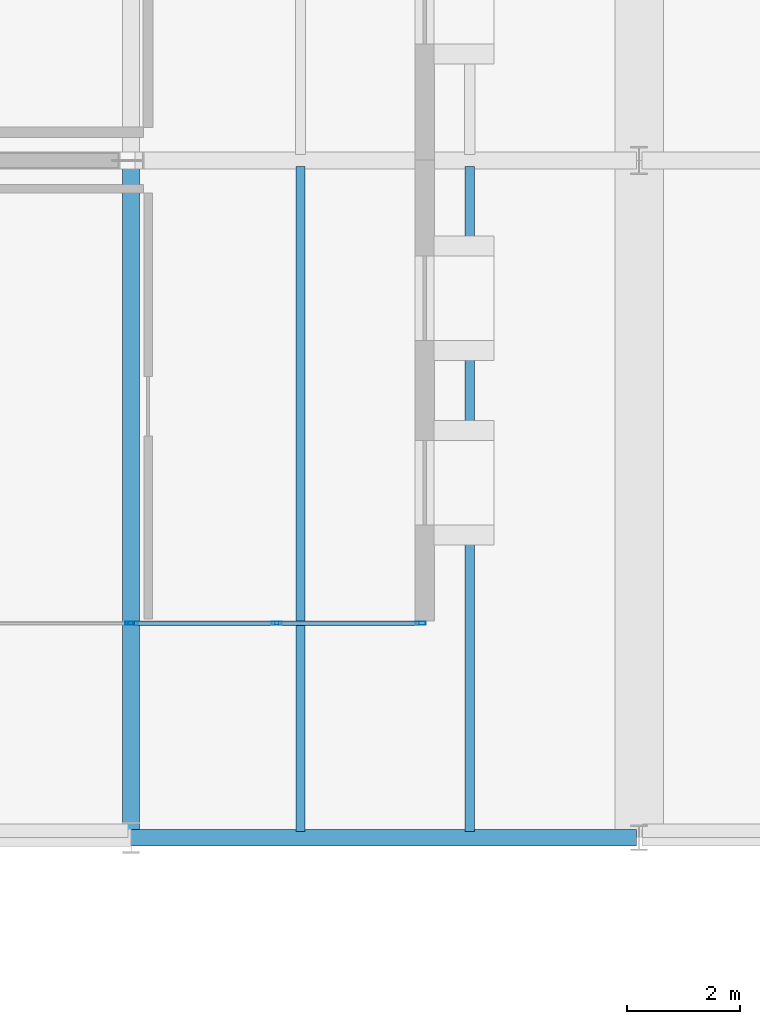
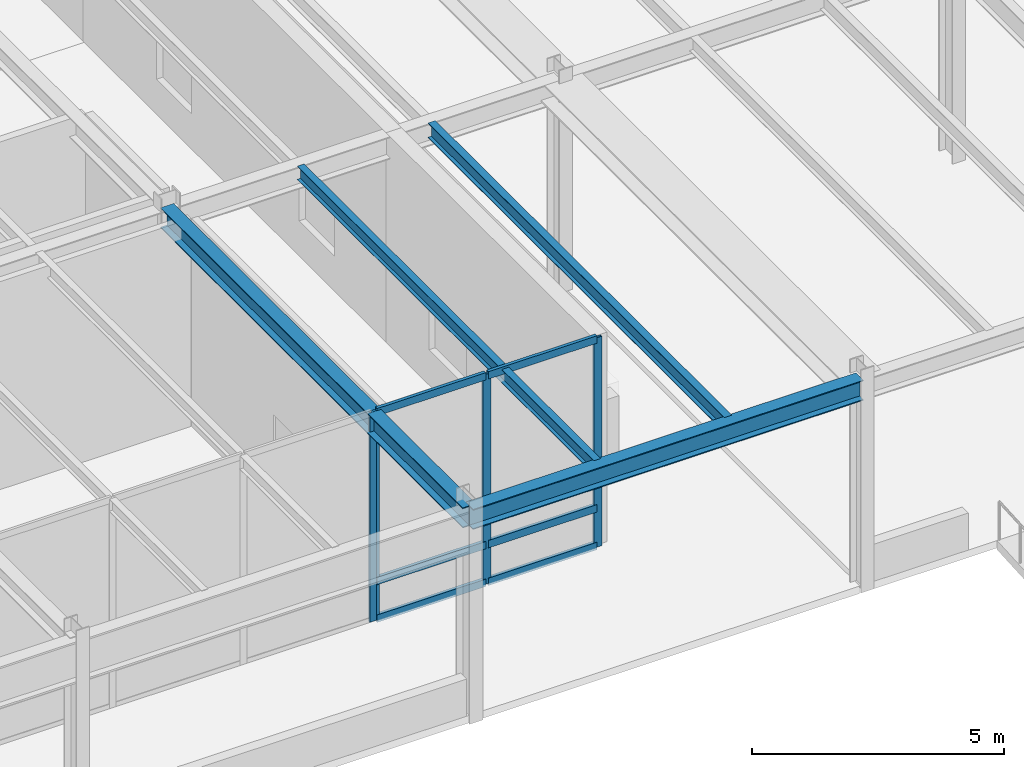
# One storey, part 32 of 143: 10 members, 4 beams, 2 elements without a shape of their own.
"""IFC4 building model written with IfcOpenShell, lengths in metres."""

from ifc_helpers import new_model, si_unit, direction, frame, origin, origin_2d, place, context, subcontext, project, spatial, hollow_rectangle, i_section, extrude, material, layer, layer_set, material_profile, profile_set, type_object, element, aggregate, save


model = new_model("IFC4")

# Units and contexts
model_context = context("Model", 3, precision=1e-05, world=origin(), true_north=direction((0.0, 1.0)))
body_context = subcontext(model_context, "Body", "Model", "MODEL_VIEW")
ifc_project = project(units=[si_unit("LENGTHUNIT", "METRE"), si_unit("AREAUNIT", "SQUARE_METRE"), si_unit("VOLUMEUNIT", "CUBIC_METRE"), si_unit("PLANEANGLEUNIT", "RADIAN"), si_unit("MASSUNIT", "GRAM", prefix="KILO")], contexts=[model_context])

# Site, building, storey
site_placement = place(None, origin())
site = spatial("IfcSite", under=ifc_project, at=site_placement, CompositionType="ELEMENT")
building_placement = place(site_placement, origin())
building = spatial("IfcBuilding", under=site, at=building_placement, Name="Montelvaro Courts of Justice", CompositionType="ELEMENT")
storey_placement = place(building_placement, origin())
storey = spatial("IfcBuildingStorey", under=building, at=storey_placement, Name="L00", CompositionType="ELEMENT", Elevation=0.0)

# Beams
ifc_material_1 = material(Name="Steel S355", Category="steel")
ifc_material_profile_1 = material_profile(ifc_material_1, i_section(OverallWidth=0.300048828125, OverallDepth=0.489990234375, WebThickness=0.011962890625, FlangeThickness=0.02294921875, at=origin_2d()), Name="HEA 500")
ifc_profile_set_1 = profile_set([ifc_material_profile_1], Name="Steel S355")
beam_type_1 = type_object("IfcBeamType", Name="Beam_HEA500", PredefinedType="USERDEFINED", material=ifc_profile_set_1)
beam_1_placement = place(storey_placement, frame((72.0, 0.0, 4.8349609375), z_axis=(1.0, 0.0, 0.0), x_axis=(0.0, 1.0, 0.0)))
element("IfcBeam", 1, at=beam_1_placement, inside=storey, type_object=beam_type_1, Name="Beam B-19 L00", ObjectType="GIRDER", PredefinedType="USERDEFINED", context=body_context, shape_type="SweptSolid", body=[
    extrude(i_section(OverallWidth=0.300048828125, OverallDepth=0.489990234375, WebThickness=0.011962890625, FlangeThickness=0.02294921875, at=origin_2d()), origin(), (0.0, 0.0, 1.0), 8.949951171875),
])
beam_2_placement = place(storey_placement, frame((72.0, 0.0, 4.8349609375), z_axis=(0.0, 1.0, 0.0), x_axis=(-1.0, 0.0, 0.0)))
element("IfcBeam", 2, at=beam_2_placement, inside=storey, type_object=beam_type_1, Name="Beam B-19 L00", ObjectType="GIRDER", PredefinedType="USERDEFINED", context=body_context, shape_type="SweptSolid", body=[
    extrude(i_section(OverallWidth=0.300048828125, OverallDepth=0.489990234375, WebThickness=0.011962890625, FlangeThickness=0.02294921875, at=origin_2d()), origin(), (0.0, 0.0, 1.0), 12.0),
])
ifc_material_profile_2 = material_profile(ifc_material_1, i_section(OverallWidth=0.159912109375, OverallDepth=0.330078125, WebThickness=0.007568359375, FlangeThickness=0.011474609375, at=origin_2d()), Name="IPE 330")
ifc_profile_set_2 = profile_set([ifc_material_profile_2], Name="Steel S355")
beam_type_2 = type_object("IfcBeamType", Name="Beam_IPE330", PredefinedType="BEAM", material=ifc_profile_set_2)
beam_3_placement = place(storey_placement, frame((75.0, 0.110107421875, 4.9150390625), z_axis=(0.0, 1.0, 0.0), x_axis=(-1.0, 0.0, 0.0)))
element("IfcBeam", 3, at=beam_3_placement, inside=storey, type_object=beam_type_2, Name="Beam B-06 L00", PredefinedType="BEAM", context=body_context, shape_type="SweptSolid", body=[
    extrude(i_section(OverallWidth=0.159912109375, OverallDepth=0.330078125, WebThickness=0.007568359375, FlangeThickness=0.011474609375, at=origin_2d()), origin(), (0.0, 0.0, 1.0), 11.77978515625),
])
ifc_material_profile_3 = material_profile(ifc_material_1, i_section(OverallWidth=0.169921875, OverallDepth=0.360107421875, WebThickness=0.008056640625, FlangeThickness=0.0126953125, at=origin_2d()), Name="IPE 360")
ifc_profile_set_3 = profile_set([ifc_material_profile_3], Name="Steel S355")
beam_type_3 = type_object("IfcBeamType", Name="Beam_IPE360", PredefinedType="BEAM", material=ifc_profile_set_3)
beam_4_placement = place(storey_placement, frame((78.0, 0.110107421875, 4.89990234375), z_axis=(0.0, 1.0, 0.0), x_axis=(-1.0, 0.0, 0.0)))
element("IfcBeam", 4, at=beam_4_placement, inside=storey, type_object=beam_type_3, Name="Beam B-07 L00", PredefinedType="BEAM", context=body_context, shape_type="SweptSolid", body=[
    extrude(i_section(OverallWidth=0.169921875, OverallDepth=0.360107421875, WebThickness=0.008056640625, FlangeThickness=0.0126953125, at=origin_2d()), origin(), (0.0, 0.0, 1.0), 11.77978515625),
])

# Curtain wall, member
ifc_material_2 = material(Name="Anodised aluminium EN AW-6063", Category="aluminium")
ifc_layer_1 = layer(ifc_material_2, 0.159912109375)
ifc_layer_set_1 = layer_set([ifc_layer_1], Name="Anodised aluminium EN AW-6063")
curtain_wall_type_1 = type_object("IfcCurtainWallType", Name="CurtainWall_11_900x508", PredefinedType="USERDEFINED", material=ifc_layer_set_1)
curtain_wall_1_placement = place(storey_placement, origin())
curtain_wall_1 = element("IfcCurtainWall", 5, at=curtain_wall_1_placement, inside=storey, type_object=curtain_wall_type_1, Name="Curtain Wall CW-11 (L00)", ObjectType="CURTAIN WALL", PredefinedType="USERDEFINED")
ifc_material_profile_4 = material_profile(ifc_material_2, hollow_rectangle(XDim=0.06005859375, YDim=0.14990234375, WallThickness=0.00390625, at=origin_2d()), Name="ALU-M 60x150")
ifc_profile_set_4 = profile_set([ifc_material_profile_4], Name="Anodised aluminium EN AW-6063")
member_type_1 = type_object("IfcMemberType", Name="CurtainWall_Mullion_60x150", PredefinedType="MULLION", material=ifc_profile_set_4)
member_1_placement = place(storey_placement, frame((71.969970703125, 3.800048828125, 0.0), z_axis=(0.0, 0.0, 1.0), x_axis=(0.0, 1.0, 0.0)))
member_1 = element("IfcMember", 6, at=member_1_placement, type_object=member_type_1, Name="CW-11 mullion 4", PredefinedType="MULLION", context=body_context, shape_type="SweptSolid", body=[
    extrude(hollow_rectangle(XDim=0.06005859375, YDim=0.14990234375, WallThickness=0.00390625, at=origin_2d()), origin(), (0.0, 0.0, 1.0), 5.080078125),
])
aggregate(curtain_wall_1, [member_1])

# Curtain wall, members
ifc_layer_2 = layer(ifc_material_2, 0.159912109375)
ifc_layer_set_2 = layer_set([ifc_layer_2], Name="Anodised aluminium EN AW-6063")
curtain_wall_type_2 = type_object("IfcCurtainWallType", Name="CurtainWall_12_516x508", PredefinedType="USERDEFINED", material=ifc_layer_set_2)
curtain_wall_2_placement = place(storey_placement, origin())
curtain_wall_2 = element("IfcCurtainWall", 7, at=curtain_wall_2_placement, inside=storey, type_object=curtain_wall_type_2, Name="Curtain Wall CW-12 (L00)", ObjectType="CURTAIN WALL", PredefinedType="USERDEFINED")
ifc_material_profile_5 = material_profile(ifc_material_2, hollow_rectangle(XDim=0.06005859375, YDim=0.179931640625, WallThickness=0.00439453125, at=origin_2d()), Name="ALU-M 60x180")
ifc_profile_set_5 = profile_set([ifc_material_profile_5], Name="Anodised aluminium EN AW-6063")
member_type_2 = type_object("IfcMemberType", Name="CurtainWall_Mullion_60x180", PredefinedType="MULLION", material=ifc_profile_set_5)
member_2_placement = place(storey_placement, frame((72.030029296875, 3.800048828125, 0.0), z_axis=(0.0, 0.0, 1.0), x_axis=(0.0, 1.0, 0.0)))
member_2 = element("IfcMember", 8, at=member_2_placement, type_object=member_type_2, Name="CW-12 mullion 1", PredefinedType="MULLION", context=body_context, shape_type="SweptSolid", body=[
    extrude(hollow_rectangle(XDim=0.06005859375, YDim=0.179931640625, WallThickness=0.00439453125, at=origin_2d()), origin(), (0.0, 0.0, 1.0), 5.080078125),
])
member_3_placement = place(storey_placement, frame((74.580078125, 3.800048828125, 0.0), z_axis=(0.0, 0.0, 1.0), x_axis=(0.0, 1.0, 0.0)))
member_3 = element("IfcMember", 9, at=member_3_placement, type_object=member_type_2, Name="CW-12 mullion 2", PredefinedType="MULLION", context=body_context, shape_type="SweptSolid", body=[
    extrude(hollow_rectangle(XDim=0.06005859375, YDim=0.179931640625, WallThickness=0.00439453125, at=origin_2d()), origin(), (0.0, 0.0, 1.0), 5.080078125),
])
member_4_placement = place(storey_placement, frame((77.1298828125, 3.800048828125, 0.0), z_axis=(0.0, 0.0, 1.0), x_axis=(0.0, 1.0, 0.0)))
member_4 = element("IfcMember", 10, at=member_4_placement, type_object=member_type_2, Name="CW-12 mullion 3", PredefinedType="MULLION", context=body_context, shape_type="SweptSolid", body=[
    extrude(hollow_rectangle(XDim=0.06005859375, YDim=0.179931640625, WallThickness=0.00439453125, at=origin_2d()), origin(), (0.0, 0.0, 1.0), 5.080078125),
])
ifc_material_profile_6 = material_profile(ifc_material_2, hollow_rectangle(XDim=0.074951171875, YDim=0.179931640625, WallThickness=0.0048828125, at=origin_2d()), Name="ALU-T 75x180")
ifc_profile_set_6 = profile_set([ifc_material_profile_6], Name="Anodised aluminium EN AW-6063")
member_type_3 = type_object("IfcMemberType", Name="CurtainWall_Transom_75x180", PredefinedType="USERDEFINED", material=ifc_profile_set_6)
member_5_placement = place(storey_placement, frame((72.06005859375, 3.800048828125, 0.03759765625), z_axis=(1.0, 0.0, 0.0), x_axis=(0.0, 1.0, 0.0)))
member_5 = element("IfcMember", 11, at=member_5_placement, type_object=member_type_3, Name="CW-12 transom 1.1", ObjectType="TRANSOM", PredefinedType="USERDEFINED", context=body_context, shape_type="SweptSolid", body=[
    extrude(hollow_rectangle(XDim=0.074951171875, YDim=0.179931640625, WallThickness=0.0048828125, at=origin_2d()), origin(), (0.0, 0.0, 1.0), 2.489990234375),
])
member_6_placement = place(storey_placement, frame((72.06005859375, 3.800048828125, 0.949951171875), z_axis=(1.0, 0.0, 0.0), x_axis=(0.0, 1.0, 0.0)))
member_6 = element("IfcMember", 12, at=member_6_placement, type_object=member_type_3, Name="CW-12 transom 1.2", ObjectType="TRANSOM", PredefinedType="USERDEFINED", context=body_context, shape_type="SweptSolid", body=[
    extrude(hollow_rectangle(XDim=0.074951171875, YDim=0.179931640625, WallThickness=0.0048828125, at=origin_2d()), origin(), (0.0, 0.0, 1.0), 2.489990234375),
])
member_7_placement = place(storey_placement, frame((72.06005859375, 3.800048828125, 5.04248046875), z_axis=(1.0, 0.0, 0.0), x_axis=(0.0, 1.0, 0.0)))
member_7 = element("IfcMember", 13, at=member_7_placement, type_object=member_type_3, Name="CW-12 transom 1.3", ObjectType="TRANSOM", PredefinedType="USERDEFINED", context=body_context, shape_type="SweptSolid", body=[
    extrude(hollow_rectangle(XDim=0.074951171875, YDim=0.179931640625, WallThickness=0.0048828125, at=origin_2d()), origin(), (0.0, 0.0, 1.0), 2.489990234375),
])
member_8_placement = place(storey_placement, frame((74.610107421875, 3.800048828125, 0.03759765625), z_axis=(1.0, 0.0, 0.0), x_axis=(0.0, 1.0, 0.0)))
member_8 = element("IfcMember", 14, at=member_8_placement, type_object=member_type_3, Name="CW-12 transom 2.1", ObjectType="TRANSOM", PredefinedType="USERDEFINED", context=body_context, shape_type="SweptSolid", body=[
    extrude(hollow_rectangle(XDim=0.074951171875, YDim=0.179931640625, WallThickness=0.0048828125, at=origin_2d()), origin(), (0.0, 0.0, 1.0), 2.489990234375),
])
member_9_placement = place(storey_placement, frame((74.610107421875, 3.800048828125, 0.949951171875), z_axis=(1.0, 0.0, 0.0), x_axis=(0.0, 1.0, 0.0)))
member_9 = element("IfcMember", 15, at=member_9_placement, type_object=member_type_3, Name="CW-12 transom 2.2", ObjectType="TRANSOM", PredefinedType="USERDEFINED", context=body_context, shape_type="SweptSolid", body=[
    extrude(hollow_rectangle(XDim=0.074951171875, YDim=0.179931640625, WallThickness=0.0048828125, at=origin_2d()), origin(), (0.0, 0.0, 1.0), 2.489990234375),
])
member_10_placement = place(storey_placement, frame((74.610107421875, 3.800048828125, 5.04248046875), z_axis=(1.0, 0.0, 0.0), x_axis=(0.0, 1.0, 0.0)))
member_10 = element("IfcMember", 16, at=member_10_placement, type_object=member_type_3, Name="CW-12 transom 2.3", ObjectType="TRANSOM", PredefinedType="USERDEFINED", context=body_context, shape_type="SweptSolid", body=[
    extrude(hollow_rectangle(XDim=0.074951171875, YDim=0.179931640625, WallThickness=0.0048828125, at=origin_2d()), origin(), (0.0, 0.0, 1.0), 2.489990234375),
])
aggregate(curtain_wall_2, [member_2, member_3, member_4, member_5, member_6, member_7, member_8, member_9, member_10])

save(model, "model.ifc")
